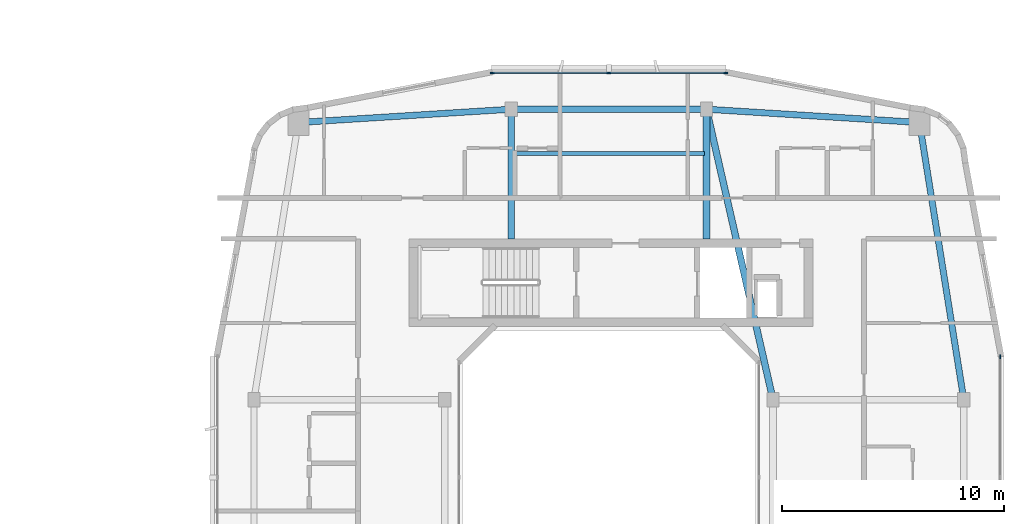
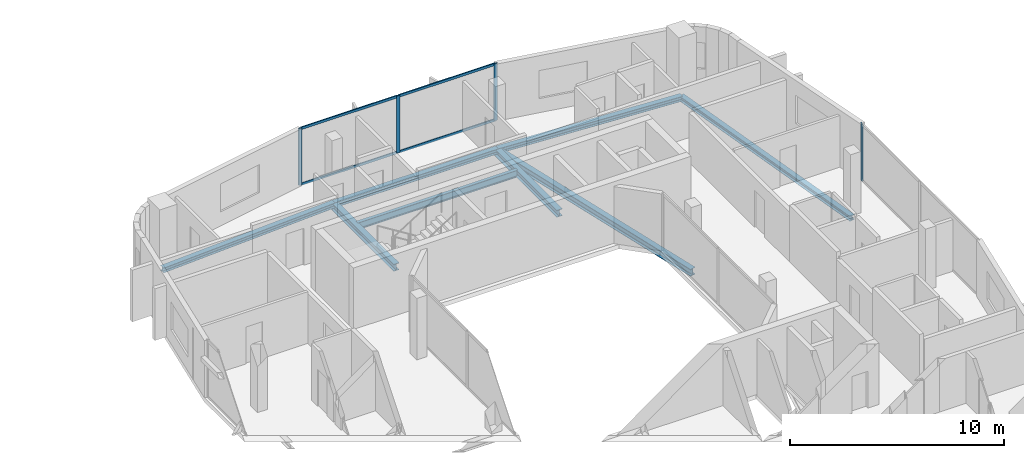
# One storey, part 10 of 26: 8 beams, 8 members, 2 elements without a shape of their own.
"""IFC4 building model written with IfcOpenShell, lengths in metres."""

from ifc_helpers import new_model, si_unit, derived_unit, direction, frame, origin, origin_2d, place, context, subcontext, project, spatial, rectangle, i_section, extrude, material, layer, layer_set, material_profile, profile_set, type_object, element, aggregate, save


model = new_model("IFC4")

# Units and contexts
model_context = context("Model", 3, precision=1e-05, world=origin(), true_north=direction((0.0, 1.0)))
body_context = subcontext(model_context, "Body", "Model", "MODEL_VIEW")
ifc_project = project(units=[si_unit("LENGTHUNIT", "METRE"), si_unit("AREAUNIT", "SQUARE_METRE"), si_unit("VOLUMEUNIT", "CUBIC_METRE"), si_unit("PLANEANGLEUNIT", "RADIAN"), si_unit("MASSUNIT", "GRAM", prefix="KILO"), derived_unit("THERMALTRANSMITTANCEUNIT", [(si_unit("POWERUNIT", "WATT"), 1), (si_unit("LENGTHUNIT", "METRE"), -2), (si_unit("THERMODYNAMICTEMPERATUREUNIT", "KELVIN"), -1)])], contexts=[model_context])

# Site, building, storey
site_placement = place(None, origin())
site = spatial("IfcSite", under=ifc_project, at=site_placement, CompositionType="ELEMENT")
building_placement = place(site_placement, origin())
building = spatial("IfcBuilding", under=site, at=building_placement, Name="Kivonza Crest Hotel", CompositionType="ELEMENT")
storey_placement = place(building_placement, frame((0.0, 0.0, 109.0)))
storey = spatial("IfcBuildingStorey", under=building, at=storey_placement, Name="L29", CompositionType="ELEMENT", Elevation=109.0)

# Beams
ifc_material_1 = material(Name="Steel S355", Category="steel")
ifc_material_profile_1 = material_profile(ifc_material_1, i_section(OverallWidth=0.280029296875, OverallDepth=0.280029296875, WebThickness=0.010498046875, FlangeThickness=0.01806640625, FilletRadius=0.02392578125, at=origin_2d()), Name="HEB 280")
ifc_profile_set_1 = profile_set([ifc_material_profile_1], Name="Steel S355")
beam_type_1 = type_object("IfcBeamType", Name="BM-HEB280", PredefinedType="SPANDREL", material=ifc_profile_set_1)
beam_1_placement = place(storey_placement, frame((93.0, 28.5, -0.389892578125), z_axis=(-0.157990501107, 0.987440631917, 0.0), x_axis=(-0.987440631917, -0.157990501107, 0.0)))
element("IfcBeam", 1, at=beam_1_placement, inside=storey, type_object=beam_type_1, Name="Companion Tower T2 L29 perimeter spandrel E2-NE", PredefinedType="SPANDREL", context=body_context, shape_type="SweptSolid", body=[
    extrude(i_section(OverallWidth=0.280029296875, OverallDepth=0.280029296875, WebThickness=0.010498046875, FlangeThickness=0.01806640625, FilletRadius=0.02392578125, at=origin_2d()), origin(), (0.0, 0.0, 1.0), 12.658935546875),
])
beam_2_placement = place(storey_placement, frame((91.0, 41.0, -0.389892578125), z_axis=(-0.998051985873, 0.062387767186, 0.0), x_axis=(-0.062387767186, -0.998051985873, 0.0)))
element("IfcBeam", 2, at=beam_2_placement, inside=storey, type_object=beam_type_1, Name="Companion Tower T2 L29 perimeter spandrel NE-N2", PredefinedType="SPANDREL", context=body_context, shape_type="SweptSolid", body=[
    extrude(i_section(OverallWidth=0.280029296875, OverallDepth=0.280029296875, WebThickness=0.010498046875, FlangeThickness=0.01806640625, FilletRadius=0.02392578125, at=origin_2d()), origin(), (0.0, 0.0, 1.0), 9.618896484375),
])
beam_3_placement = place(storey_placement, frame((81.39990234375, 41.60009765625, -0.389892578125), z_axis=(-1.0, 0.0, 0.0), x_axis=(0.0, -1.0, 0.0)))
element("IfcBeam", 3, at=beam_3_placement, inside=storey, type_object=beam_type_1, Name="Companion Tower T2 L29 perimeter spandrel N2-N1", PredefinedType="SPANDREL", context=body_context, shape_type="SweptSolid", body=[
    extrude(i_section(OverallWidth=0.280029296875, OverallDepth=0.280029296875, WebThickness=0.010498046875, FlangeThickness=0.01806640625, FilletRadius=0.02392578125, at=origin_2d()), origin(), (0.0, 0.0, 1.0), 8.7998046875),
])
beam_4_placement = place(storey_placement, frame((72.60009765625, 41.60009765625, -0.389892578125), z_axis=(-0.998051985873, -0.062387767186, 0.0), x_axis=(0.062387767186, -0.998051985873, 0.0)))
element("IfcBeam", 4, at=beam_4_placement, inside=storey, type_object=beam_type_1, Name="Companion Tower T2 L29 perimeter spandrel N1-NW", PredefinedType="SPANDREL", context=body_context, shape_type="SweptSolid", body=[
    extrude(i_section(OverallWidth=0.280029296875, OverallDepth=0.280029296875, WebThickness=0.010498046875, FlangeThickness=0.01806640625, FilletRadius=0.02392578125, at=origin_2d()), origin(), (0.0, 0.0, 1.0), 9.618896484375),
])
ifc_material_profile_2 = material_profile(ifc_material_1, i_section(OverallWidth=0.300048828125, OverallDepth=0.39990234375, WebThickness=0.013427734375, FlangeThickness=0.02392578125, FilletRadius=0.027099609375, at=origin_2d()), Name="HEB 400")
ifc_profile_set_2 = profile_set([ifc_material_profile_2], Name="Steel S355")
beam_type_2 = type_object("IfcBeamType", Name="BM-HEB400", PredefinedType="BEAM", material=ifc_profile_set_2)
beam_5_placement = place(storey_placement, frame((84.39990234375, 28.5, -0.449951171875), z_axis=(-0.223227287589, 0.974766422317, 0.0), x_axis=(-0.974766422317, -0.223227287589, 0.0)))
element("IfcBeam", 5, at=beam_5_placement, inside=storey, type_object=beam_type_2, Name="Companion Tower T2 L29 girder WR2-N2", PredefinedType="BEAM", context=body_context, shape_type="SweptSolid", body=[
    extrude(i_section(OverallWidth=0.300048828125, OverallDepth=0.39990234375, WebThickness=0.013427734375, FlangeThickness=0.02392578125, FilletRadius=0.027099609375, at=origin_2d()), origin(), (0.0, 0.0, 1.0), 13.439208984375),
])
for number, where, z_axis, x_axis, name in (
    (6, (72.60009765625, 41.60009765625, -0.449951171875), (0.0, -1.0, 0.0), (1.0, 0.0, 0.0), "Companion T2 L29 radial core girder RN1"),
    (7, (81.39990234375, 41.60009765625, -0.449951171875), (0.0, -1.0, 0.0), (1.0, 0.0, 0.0), "Companion T2 L29 radial core girder RN2"),
):
    element("IfcBeam", number, at=place(storey_placement, frame(where, z_axis=z_axis, x_axis=x_axis)), inside=storey, type_object=beam_type_2, Name=name, PredefinedType="BEAM", context=body_context, shape_type="SweptSolid", body=[
        extrude(i_section(OverallWidth=0.300048828125, OverallDepth=0.39990234375, WebThickness=0.013427734375, FlangeThickness=0.02392578125, FilletRadius=0.027099609375, at=origin_2d()), origin(), (0.0, 0.0, 1.0), 5.85009765625),
    ])
ifc_material_profile_3 = material_profile(ifc_material_1, i_section(OverallWidth=0.179931640625, OverallDepth=0.39990234375, WebThickness=0.008544921875, FlangeThickness=0.013427734375, FilletRadius=0.02099609375, at=origin_2d()), Name="IPE 400")
ifc_profile_set_3 = profile_set([ifc_material_profile_3], Name="Steel S355")
beam_type_3 = type_object("IfcBeamType", Name="BM-IPE400", PredefinedType="JOIST", material=ifc_profile_set_3)
beam_6_placement = place(storey_placement, frame((72.679931640625, 39.60009765625, -0.449951171875), z_axis=(1.0, 0.0, 0.0), x_axis=(0.0, 1.0, 0.0)))
element("IfcBeam", 8, at=beam_6_placement, inside=storey, type_object=beam_type_3, Name="Companion Tower T2 L29 North floor joist", PredefinedType="JOIST", context=body_context, shape_type="SweptSolid", body=[
    extrude(i_section(OverallWidth=0.179931640625, OverallDepth=0.39990234375, WebThickness=0.008544921875, FlangeThickness=0.013427734375, FilletRadius=0.02099609375, at=origin_2d()), origin(), (0.0, 0.0, 1.0), 8.64013671875),
])

# Curtain wall, member
ifc_material_2 = material(Name="Anodised bronze aluminium and low-E double glazing", Category="aluminium")
ifc_layer = layer(ifc_material_2, 0.179931640625)
ifc_layer_set = layer_set([ifc_layer], Name="Anodised bronze aluminium and low-E double glazing")
curtain_wall_type = type_object("IfcCurtainWallType", Name="CW-SYS-4", PredefinedType="NOTDEFINED", material=ifc_layer_set)
curtain_wall_1_placement = place(storey_placement, origin())
curtain_wall_1 = element("IfcCurtainWall", 9, at=curtain_wall_1_placement, inside=storey, type_object=curtain_wall_type, Name="L29 unitised curtain wall CW-T2-L29-17", PredefinedType="NOTDEFINED")
ifc_material_3 = material(Name="Anodised bronze aluminium", Category="aluminium")
ifc_material_profile_4 = material_profile(ifc_material_3, rectangle(XDim=0.06494140625, YDim=0.179931640625, at=origin_2d()), Name="CW-M 65x180")
ifc_profile_set_4 = profile_set([ifc_material_profile_4], Name="Anodised bronze aluminium")
member_type_1 = type_object("IfcMemberType", Name="CW-MUL-65x180", PredefinedType="MULLION", material=ifc_profile_set_4)
member_1_placement = place(storey_placement, frame((94.639892578125, 30.447509765625, 0.0), z_axis=(0.0, 0.0, 1.0), x_axis=(-1.0, 0.0, 0.0)))
member_1 = element("IfcMember", 10, at=member_1_placement, type_object=member_type_1, Name="CW-4 mullion 3", PredefinedType="MULLION", context=body_context, shape_type="SweptSolid", body=[
    extrude(rectangle(XDim=0.06494140625, YDim=0.179931640625, at=origin_2d()), origin(), (0.0, 0.0, 1.0), 3.25),
])
aggregate(curtain_wall_1, [member_1])

# Curtain wall, members
curtain_wall_2_placement = place(storey_placement, origin())
curtain_wall_2 = element("IfcCurtainWall", 11, at=curtain_wall_2_placement, inside=storey, type_object=curtain_wall_type, Name="L29 unitised curtain wall CW-T2-L29-26", PredefinedType="NOTDEFINED")
member_2_placement = place(storey_placement, frame((82.267578125, 43.239990234375, 0.0), z_axis=(0.0, 0.0, 1.0), x_axis=(0.0, -1.0, 0.0)))
member_2 = element("IfcMember", 12, at=member_2_placement, type_object=member_type_1, Name="CW-4 mullion 1", PredefinedType="MULLION", context=body_context, shape_type="SweptSolid", body=[
    extrude(rectangle(XDim=0.06494140625, YDim=0.179931640625, at=origin_2d()), origin(), (0.0, 0.0, 1.0), 3.25),
])
member_3_placement = place(storey_placement, frame((77.0, 43.239990234375, 0.0), z_axis=(0.0, 0.0, 1.0), x_axis=(0.0, -1.0, 0.0)))
member_3 = element("IfcMember", 13, at=member_3_placement, type_object=member_type_1, Name="CW-4 mullion 2", PredefinedType="MULLION", context=body_context, shape_type="SweptSolid", body=[
    extrude(rectangle(XDim=0.06494140625, YDim=0.179931640625, at=origin_2d()), origin(), (0.0, 0.0, 1.0), 3.25),
])
member_4_placement = place(storey_placement, frame((71.732421875, 43.239990234375, 0.0), z_axis=(0.0, 0.0, 1.0), x_axis=(0.0, -1.0, 0.0)))
member_4 = element("IfcMember", 14, at=member_4_placement, type_object=member_type_1, Name="CW-4 mullion 3", PredefinedType="MULLION", context=body_context, shape_type="SweptSolid", body=[
    extrude(rectangle(XDim=0.06494140625, YDim=0.179931640625, at=origin_2d()), origin(), (0.0, 0.0, 1.0), 3.25),
])
ifc_material_profile_5 = material_profile(ifc_material_3, rectangle(XDim=0.06494140625, YDim=0.139892578125, at=origin_2d()), Name="CW-T 65x140")
ifc_profile_set_5 = profile_set([ifc_material_profile_5], Name="Anodised bronze aluminium")
member_type_2 = type_object("IfcMemberType", Name="CW-TRN-65x140", PredefinedType="USERDEFINED", material=ifc_profile_set_5)
member_5_placement = place(storey_placement, frame((82.235107421875, 43.239990234375, 0.032470703125), z_axis=(-1.0, 0.0, 0.0), x_axis=(0.0, -1.0, 0.0)))
member_5 = element("IfcMember", 15, at=member_5_placement, type_object=member_type_2, Name="CW-4 transom 1.1", ObjectType="TRANSOM", PredefinedType="USERDEFINED", context=body_context, shape_type="SweptSolid", body=[
    extrude(rectangle(XDim=0.06494140625, YDim=0.139892578125, at=origin_2d()), origin(), (0.0, 0.0, 1.0), 5.20263671875),
])
member_6_placement = place(storey_placement, frame((82.235107421875, 43.239990234375, 3.217529296875), z_axis=(-1.0, 0.0, 0.0), x_axis=(0.0, -1.0, 0.0)))
member_6 = element("IfcMember", 16, at=member_6_placement, type_object=member_type_2, Name="CW-4 transom 1.2", ObjectType="TRANSOM", PredefinedType="USERDEFINED", context=body_context, shape_type="SweptSolid", body=[
    extrude(rectangle(XDim=0.06494140625, YDim=0.139892578125, at=origin_2d()), origin(), (0.0, 0.0, 1.0), 5.20263671875),
])
member_7_placement = place(storey_placement, frame((76.967529296875, 43.239990234375, 0.032470703125), z_axis=(-1.0, 0.0, 0.0), x_axis=(0.0, -1.0, 0.0)))
member_7 = element("IfcMember", 17, at=member_7_placement, type_object=member_type_2, Name="CW-4 transom 2.1", ObjectType="TRANSOM", PredefinedType="USERDEFINED", context=body_context, shape_type="SweptSolid", body=[
    extrude(rectangle(XDim=0.06494140625, YDim=0.139892578125, at=origin_2d()), origin(), (0.0, 0.0, 1.0), 5.20263671875),
])
member_8_placement = place(storey_placement, frame((76.967529296875, 43.239990234375, 3.217529296875), z_axis=(-1.0, 0.0, 0.0), x_axis=(0.0, -1.0, 0.0)))
member_8 = element("IfcMember", 18, at=member_8_placement, type_object=member_type_2, Name="CW-4 transom 2.2", ObjectType="TRANSOM", PredefinedType="USERDEFINED", context=body_context, shape_type="SweptSolid", body=[
    extrude(rectangle(XDim=0.06494140625, YDim=0.139892578125, at=origin_2d()), origin(), (0.0, 0.0, 1.0), 5.20263671875),
])
aggregate(curtain_wall_2, [member_2, member_3, member_4, member_5, member_6, member_7, member_8])

save(model, "model.ifc")
